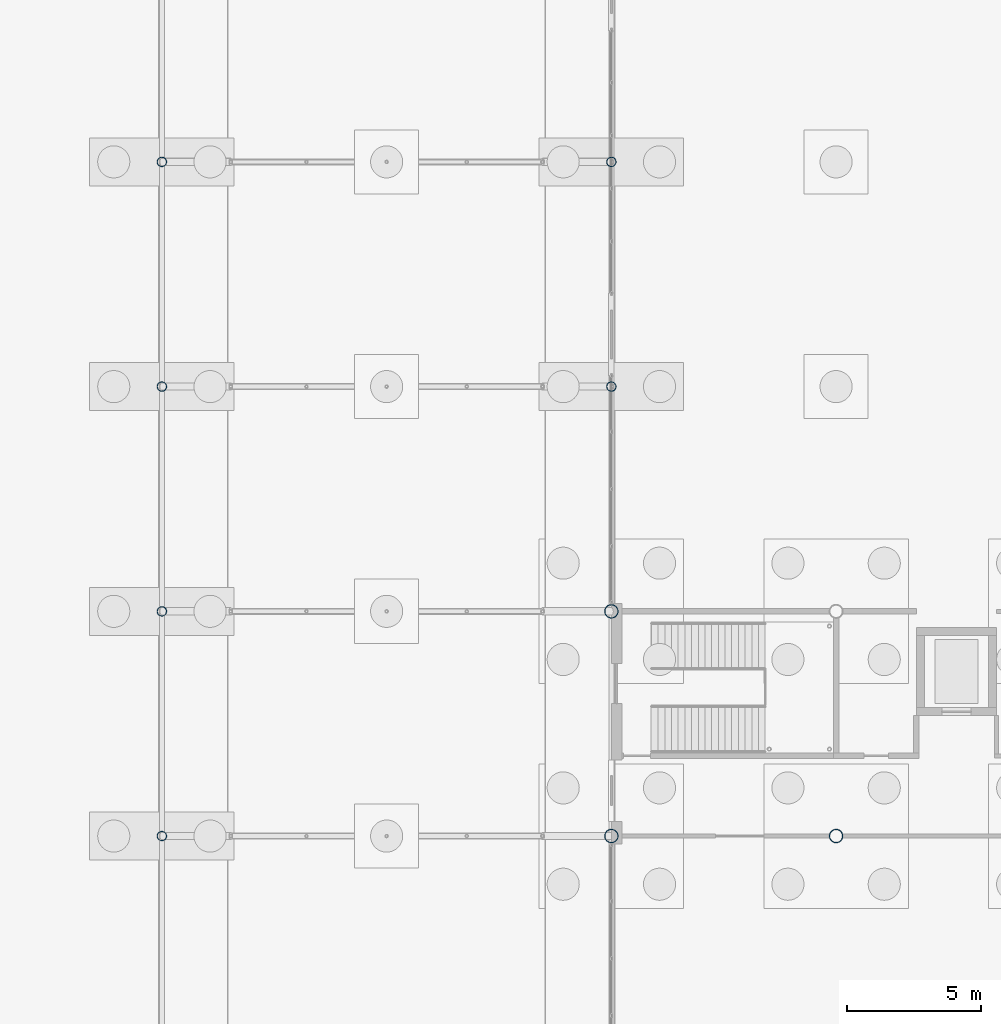
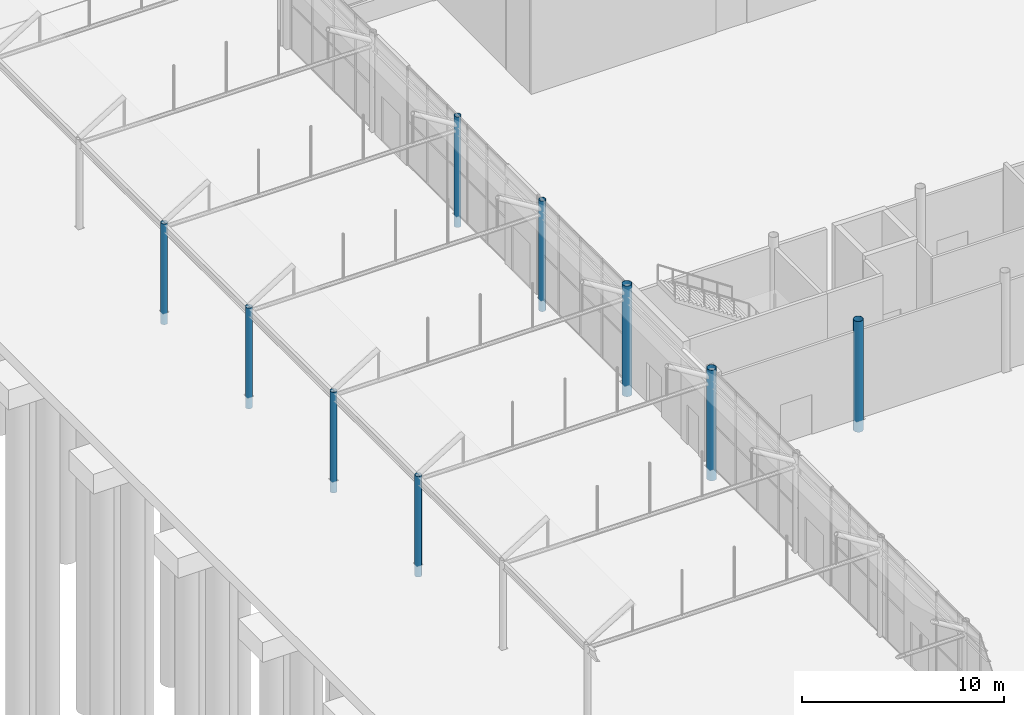
# One storey, part 13 of 212: 9 columns.
"""IFC4 building model written with IfcOpenShell, lengths in metres."""

from ifc_helpers import new_model, si_unit, direction, frame, origin, origin_2d, place, context, subcontext, project, spatial, hollow_circle, extrude, material, material_profile, profile_set, type_object, element, save


model = new_model("IFC4")

# Units and contexts
model_context = context("Model", 3, precision=1e-05, world=origin(), true_north=direction((0.0, 1.0)))
body_context = subcontext(model_context, "Body", "Model", "MODEL_VIEW")
ifc_project = project(units=[si_unit("LENGTHUNIT", "METRE"), si_unit("AREAUNIT", "SQUARE_METRE"), si_unit("VOLUMEUNIT", "CUBIC_METRE"), si_unit("PLANEANGLEUNIT", "RADIAN"), si_unit("MASSUNIT", "GRAM", prefix="KILO")], contexts=[model_context])

# Site, building, storey
site_placement = place(None, origin())
site = spatial("IfcSite", under=ifc_project, at=site_placement, CompositionType="ELEMENT")
building_placement = place(site_placement, origin())
building = spatial("IfcBuilding", under=site, at=building_placement, Name="Catenary Quay Ferry Terminal", CompositionType="ELEMENT")
storey_placement = place(building_placement, origin())
storey = spatial("IfcBuildingStorey", under=building, at=storey_placement, Name="L00", CompositionType="ELEMENT", Elevation=0.0)

# Columns
ifc_material_1 = material(Name="Steel S355", Category="steel")
ifc_material_profile_1 = material_profile(ifc_material_1, hollow_circle(Radius=0.25390625, WallThickness=0.01611328125, at=origin_2d()), Name="CHS 508x16")
ifc_profile_set_1 = profile_set([ifc_material_profile_1], Name="Steel S355")
column_type_1 = type_object("IfcColumnType", Name="C4 CHS 508x16", PredefinedType="COLUMN", material=ifc_profile_set_1)
for number, where, z_axis, x_axis, name in (
    (1, (25.199951171875, 100.800048828125, -0.699951171875), (0.0, 0.0, 1.0), (1.0, 0.0, 0.0), "Column C-D13 L00"),
    (2, (33.60009765625, 100.800048828125, -0.699951171875), (0.0, 0.0, 1.0), (1.0, 0.0, 0.0), "Column C-E13 L00"),
    (3, (25.199951171875, 109.199951171875, -0.699951171875), (0.0, 0.0, 1.0), (1.0, 0.0, 0.0), "Column C-D14 L00"),
):
    element("IfcColumn", number, at=place(storey_placement, frame(where, z_axis=z_axis, x_axis=x_axis)), inside=storey, type_object=column_type_1, Name=name, PredefinedType="COLUMN", context=body_context, shape_type="SweptSolid", body=[
        extrude(hollow_circle(Radius=0.25390625, WallThickness=0.01611328125, at=origin_2d()), origin(), (0.0, 0.0, 1.0), 6.699951171875),
    ])
ifc_material_2 = material(Name="Steel S355", Category="steel")
ifc_material_profile_2 = material_profile(ifc_material_2, hollow_circle(Radius=0.177734375, WallThickness=0.012451171875, at=origin_2d()), Name="CHS 355.6x12.5")
ifc_profile_set_2 = profile_set([ifc_material_profile_2], Name="Steel S355")
column_type_2 = type_object("IfcColumnType", Name="C5 CHS 355.6x12.5", PredefinedType="COLUMN", material=ifc_profile_set_2)
for number, where, z_axis, x_axis, name in (
    (4, (25.199951171875, 117.60009765625, -0.699951171875), (0.0, 0.0, 1.0), (1.0, 0.0, 0.0), "Column C-D15 L00"),
    (5, (25.199951171875, 126.0, -0.699951171875), (0.0, 0.0, 1.0), (1.0, 0.0, 0.0), "Column C-D16 L00"),
):
    element("IfcColumn", number, at=place(storey_placement, frame(where, z_axis=z_axis, x_axis=x_axis)), inside=storey, type_object=column_type_2, Name=name, PredefinedType="COLUMN", context=body_context, shape_type="SweptSolid", body=[
        extrude(hollow_circle(Radius=0.177734375, WallThickness=0.012451171875, at=origin_2d()), origin(), (0.0, 0.0, 1.0), 6.699951171875),
    ])
for number, where, z_axis, x_axis, name in (
    (6, (8.39990234375, 100.800048828125, -0.699951171875), (0.0, 0.0, 1.0), (1.0, 0.0, 0.0), "Column C-B13 L00"),
    (7, (8.39990234375, 109.199951171875, -0.699951171875), (0.0, 0.0, 1.0), (1.0, 0.0, 0.0), "Column C-B14 L00"),
    (8, (8.39990234375, 117.60009765625, -0.699951171875), (0.0, 0.0, 1.0), (1.0, 0.0, 0.0), "Column C-B15 L00"),
    (9, (8.39990234375, 126.0, -0.699951171875), (0.0, 0.0, 1.0), (1.0, 0.0, 0.0), "Column C-B16 L00"),
):
    element("IfcColumn", number, at=place(storey_placement, frame(where, z_axis=z_axis, x_axis=x_axis)), inside=storey, type_object=column_type_2, Name=name, PredefinedType="COLUMN", context=body_context, shape_type="SweptSolid", body=[
        extrude(hollow_circle(Radius=0.177734375, WallThickness=0.012451171875, at=origin_2d()), origin(), (0.0, 0.0, 1.0), 6.099853515625),
    ])

save(model, "model.ifc")
